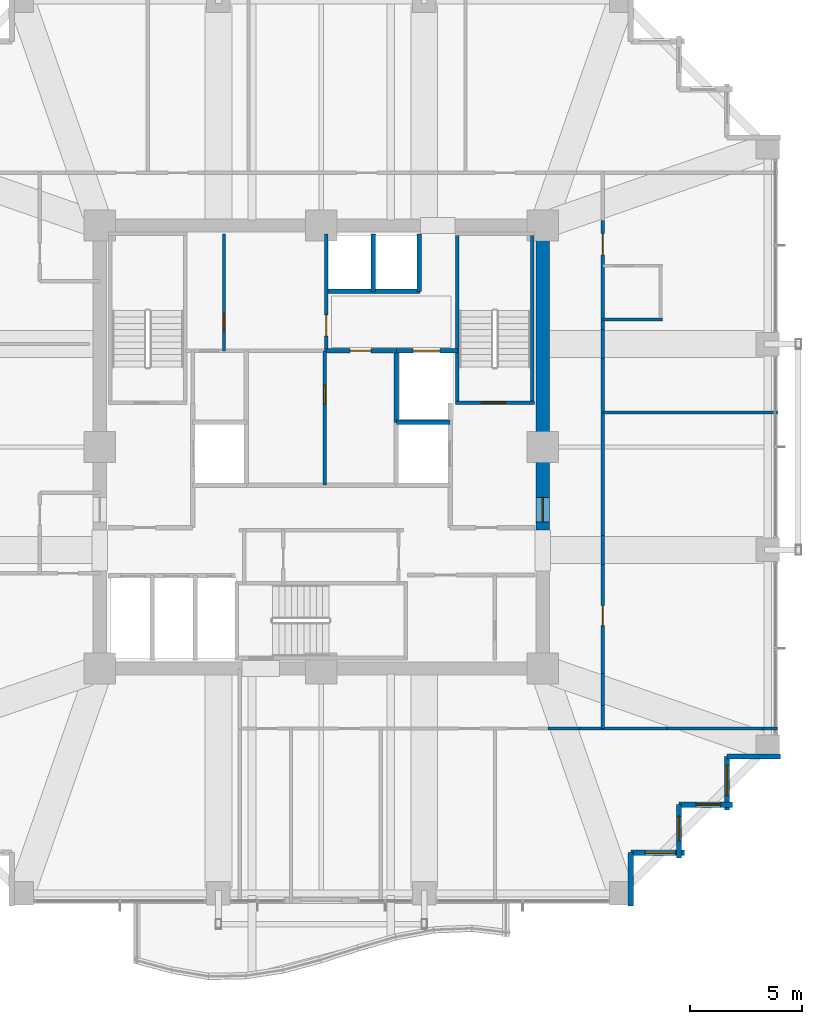
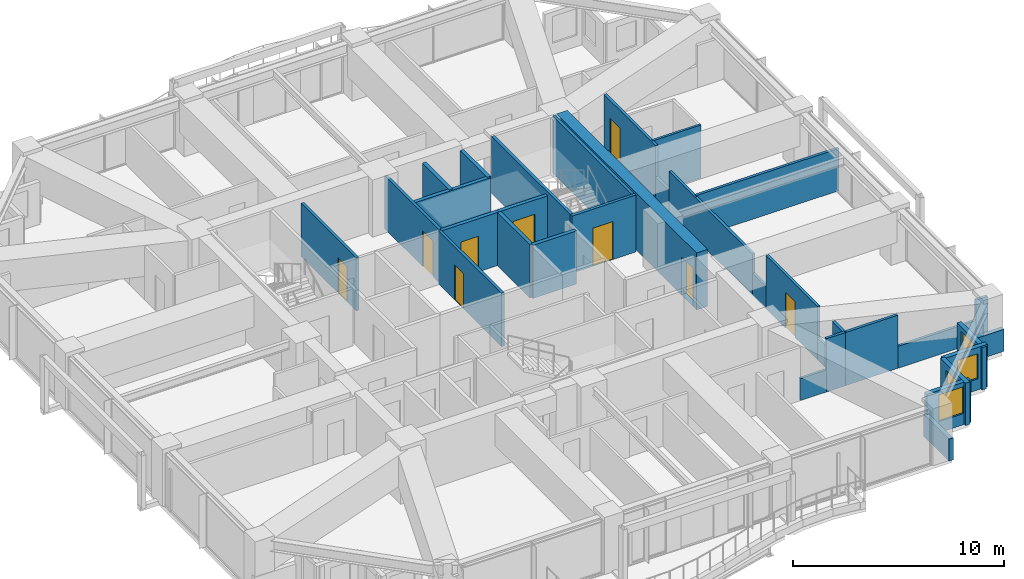
# One storey, part 35 of 39: 34 walls, 9 doors, 4 windows, 13 openings.
"""IFC4 building model written with IfcOpenShell, lengths in metres."""

from ifc_helpers import new_model, si_unit, direction, frame, frame_2d, origin, place, context, subcontext, project, spatial, rectangle, extrude, material, layer, layer_set, type_object, element, fill, save


model = new_model("IFC4")

# Units and contexts
model_context = context("Model", 3, precision=1e-05, world=origin(), true_north=direction((0.0, 1.0)))
body_context = subcontext(model_context, "Body", "Model", "MODEL_VIEW")
ifc_project = project(units=[si_unit("LENGTHUNIT", "METRE"), si_unit("AREAUNIT", "SQUARE_METRE"), si_unit("VOLUMEUNIT", "CUBIC_METRE"), si_unit("PLANEANGLEUNIT", "RADIAN"), si_unit("MASSUNIT", "GRAM", prefix="KILO")], contexts=[model_context])

# Site, building, storey
site_placement = place(None, origin())
site = spatial("IfcSite", under=ifc_project, at=site_placement, CompositionType="ELEMENT")
building_placement = place(site_placement, origin())
building = spatial("IfcBuilding", under=site, at=building_placement, Name="Kolvaren Belvedere", CompositionType="ELEMENT")
storey_placement = place(building_placement, frame((0.0, 0.0, 85.39990234375)))
storey = spatial("IfcBuildingStorey", under=building, at=storey_placement, Name="L24", CompositionType="ELEMENT", Elevation=85.39990234375)

# Wall, opening, door
ifc_material_1 = material(Name="Concrete C60/75", Category="concrete")
ifc_layer_1 = layer(ifc_material_1, 0.60009765625)
ifc_layer_set_1 = layer_set([ifc_layer_1], Name="Concrete C60/75")
wall_type_1 = type_object("IfcWallType", Name="CW-CORE-600", PredefinedType="SHEAR", material=ifc_layer_set_1)
wall_1_placement = place(storey_placement, frame((9.89990234375, -3.699951171875, 0.0), z_axis=(0.0, 0.0, 1.0), x_axis=(0.0, 1.0, 0.0)))
wall_1 = element("IfcWall", 1, at=wall_1_placement, inside=storey, type_object=wall_type_1, Name="L24 East Core Shear Wall 2", PredefinedType="SHEAR", context=body_context, shape_type="SweptSolid", body=[
    extrude(rectangle(XDim=13.300048828125, YDim=0.60009765625, at=frame_2d((6.64990234375, 0.0))), origin(), (0.0, 0.0, 1.0), 3.300048828125),
])
opening_1_placement = place(wall_1_placement, frame((0.35009765625, 0.0, 0.0)))
opening_1 = element("IfcOpeningElement", 2, at=opening_1_placement, cuts=wall_1, Name="Opening D-FD90", PredefinedType="OPENING", context=body_context, shape_type="SweptSolid", body=[
    extrude(rectangle(XDim=1.10009765625, YDim=2.199951171875, at=frame_2d((0.550048828125, 1.10009765625))), frame((0.0, 0.31005859375, 0.0), z_axis=(0.0, -1.0, 0.0), x_axis=(1.0, 0.0, 0.0)), (0.0, 0.0, 1.0), 0.6201171875),
])
ifc_material_2 = material(Name="Painted hollow stainless steel", Category="steel")
door_type_1 = type_object("IfcDoorType", Name="DR-FD90-1100", OperationType="NOTDEFINED", PredefinedType="DOOR", material=ifc_material_2)
door_1_placement = place(opening_1_placement, origin())
door_1 = element("IfcDoor", 3, at=door_1_placement, inside=storey, type_object=door_type_1, Name="L24 East Firefighting Lobby Fire Door", OperationType="SINGLE_SWING_RIGHT", OverallHeight=2.199951171875, OverallWidth=1.10009765625, PredefinedType="DOOR", context=body_context, shape_type="SweptSolid", body=[
    extrude(rectangle(XDim=1.10009765625, YDim=2.199951171875, at=frame_2d((0.550048828125, 1.10009765625))), frame((0.0, 0.02490234375, 0.0), z_axis=(0.0, -1.0, 0.0), x_axis=(1.0, 0.0, 0.0)), (0.0, 0.0, 1.0), 0.050048828125),
])
fill(opening_1, door_1)

ifc_material_3 = material(Name="Concrete C50/60", Category="concrete")
ifc_layer_2 = layer(ifc_material_3, 0.159912109375)
ifc_layer_set_2 = layer_set([ifc_layer_2], Name="Concrete C50/60")
wall_type_2 = type_object("IfcWallType", Name="CW-STAIR-160", PredefinedType="SHEAR", material=ifc_layer_set_2)
wall_2_placement = place(storey_placement, frame((6.0, 1.969970703125, 0.0), z_axis=(0.0, 0.0, 1.0), x_axis=(1.0, 0.0, 0.0)))
wall_2 = element("IfcWall", 4, at=wall_2_placement, inside=storey, type_object=wall_type_2, Name="L24 Stair ST-2 South Shear Wall", PredefinedType="SHEAR", context=body_context, shape_type="SweptSolid", body=[
    extrude(rectangle(XDim=3.52001953125, YDim=0.159912109375, at=frame_2d((1.760009765625, 0.0))), origin(), (0.0, 0.0, 1.0), 3.300048828125),
])
opening_2_placement = place(wall_2_placement, frame((1.14990234375, 0.0, 0.0)))
opening_2 = element("IfcOpeningElement", 5, at=opening_2_placement, cuts=wall_2, Name="Opening D-FD90", PredefinedType="OPENING", context=body_context, shape_type="SweptSolid", body=[
    extrude(rectangle(XDim=1.10009765625, YDim=2.199951171875, at=frame_2d((0.550048828125, 1.10009765625))), frame((0.0, 0.08984375, 0.0), z_axis=(0.0, -1.0, 0.0), x_axis=(1.0, 0.0, 0.0)), (0.0, 0.0, 1.0), 0.179931640625),
])
door_2_placement = place(opening_2_placement, origin())
door_2 = element("IfcDoor", 6, at=door_2_placement, inside=storey, type_object=door_type_1, Name="L24 Stair ST-2 Fire Door", OperationType="SINGLE_SWING_RIGHT", OverallHeight=2.199951171875, OverallWidth=1.10009765625, PredefinedType="DOOR", context=body_context, shape_type="SweptSolid", body=[
    extrude(rectangle(XDim=1.10009765625, YDim=2.199951171875, at=frame_2d((0.550048828125, 1.10009765625))), frame((0.0, 0.02490234375, 0.0), z_axis=(0.0, -1.0, 0.0), x_axis=(1.0, 0.0, 0.0)), (0.0, 0.0, 1.0), 0.050048828125),
])
fill(opening_2, door_2)

# Walls
for number, where, z_axis, x_axis, name in (
    (7, (6.080078125, 1.969970703125, 0.0), (0.0, 0.0, 1.0), (0.0, 1.0, 0.0), "L24 Stair ST-2 West Shear Wall"),
    (8, (9.429931640625, 1.969970703125, 0.0), (0.0, 0.0, 1.0), (0.0, 1.0, 0.0), "L24 Stair ST-2 East Shear Wall"),
):
    element("IfcWall", number, at=place(storey_placement, frame(where, z_axis=z_axis, x_axis=x_axis)), inside=storey, type_object=wall_type_2, Name=name, PredefinedType="SHEAR", context=body_context, shape_type="SweptSolid", body=[
        extrude(rectangle(XDim=7.56005859375, YDim=0.159912109375, at=frame_2d((3.780029296875, 0.0))), origin(), (0.0, 0.0, 1.0), 3.300048828125),
    ])
ifc_material_4 = material(Name="Gypsum fire-rated partition assembly", Category="gypsum")
ifc_layer_3 = layer(ifc_material_4, 0.14990234375)
ifc_layer_set_3 = layer_set([ifc_layer_3], Name="Gypsum fire-rated partition assembly")
wall_type_3 = type_object("IfcWallType", Name="WL-CORR-150", PredefinedType="PARTITIONING", material=ifc_layer_set_3)
wall_3_placement = place(storey_placement, frame((12.580078125, -12.580078125, 0.0), z_axis=(0.0, 0.0, 1.0), x_axis=(0.0, 1.0, 0.0)))
element("IfcWall", 9, at=wall_3_placement, inside=storey, type_object=wall_type_3, Name="L24 East Corridor Wall", PredefinedType="PARTITIONING", context=body_context, shape_type="SweptSolid", body=[
    extrude(rectangle(XDim=1.038330078125, YDim=0.14990234375, at=frame_2d((0.51904296875, 0.0))), origin(), (0.0, 0.0, 1.0), 3.080078125),
])
wall_4_placement = place(storey_placement, frame((12.580078125, -11.541748046875, 0.0), z_axis=(0.0, 0.0, 1.0), x_axis=(0.0, 1.0, 0.0)))
element("IfcWall", 10, at=wall_4_placement, inside=storey, type_object=wall_type_3, Name="L24 East Corridor Wall", PredefinedType="PARTITIONING", context=body_context, shape_type="SweptSolid", body=[
    extrude(rectangle(XDim=1.416748046875, YDim=0.14990234375, at=frame_2d((0.70849609375, 0.0))), origin(), (0.0, 0.0, 1.0), 1.26513671875),
])

# Wall, opening, door
wall_5_placement = place(storey_placement, frame((12.580078125, -10.125, 0.0), z_axis=(0.0, 0.0, 1.0), x_axis=(0.0, 1.0, 0.0)))
wall_5 = element("IfcWall", 11, at=wall_5_placement, inside=storey, type_object=wall_type_3, Name="L24 East Corridor Wall", PredefinedType="PARTITIONING", context=body_context, shape_type="SweptSolid", body=[
    extrude(rectangle(XDim=4.883056640625, YDim=0.14990234375, at=frame_2d((2.44140625, 0.0))), origin(), (0.0, 0.0, 1.0), 3.080078125),
])
opening_3_placement = place(wall_5_placement, frame((2.139892578125, 0.0, 0.0)))
opening_3 = element("IfcOpeningElement", 12, at=opening_3_placement, cuts=wall_5, Name="Opening D-INT90", PredefinedType="OPENING", context=body_context, shape_type="SweptSolid", body=[
    extrude(rectangle(XDim=0.89990234375, YDim=2.06005859375, at=frame_2d((0.449951171875, 1.030029296875))), frame((0.0, 0.0849609375, 0.0), z_axis=(0.0, -1.0, 0.0), x_axis=(1.0, 0.0, 0.0)), (0.0, 0.0, 1.0), 0.169921875),
])
ifc_material_5 = material(Name="Stained Pacific white oak", Category="timber")
door_type_2 = type_object("IfcDoorType", Name="DR-INT-900", OperationType="NOTDEFINED", PredefinedType="DOOR", material=ifc_material_5)
door_3_placement = place(opening_3_placement, origin())
door_3 = element("IfcDoor", 13, at=door_3_placement, inside=storey, type_object=door_type_2, Name="L24 Lounge 2405 Door", OperationType="SINGLE_SWING_RIGHT", OverallHeight=2.06005859375, OverallWidth=0.89990234375, PredefinedType="DOOR", context=body_context, shape_type="SweptSolid", body=[
    extrude(rectangle(XDim=0.89990234375, YDim=2.06005859375, at=frame_2d((0.449951171875, 1.030029296875))), frame((0.0, 0.02490234375, 0.0), z_axis=(0.0, -1.0, 0.0), x_axis=(1.0, 0.0, 0.0)), (0.0, 0.0, 1.0), 0.050048828125),
])
fill(opening_3, door_3)

# Walls
wall_6_placement = place(storey_placement, frame((12.580078125, -5.241943359375, 0.0), z_axis=(0.0, 0.0, 1.0), x_axis=(0.0, 1.0, 0.0)))
element("IfcWall", 14, at=wall_6_placement, inside=storey, type_object=wall_type_3, Name="L24 East Corridor Wall", PredefinedType="PARTITIONING", context=body_context, shape_type="SweptSolid", body=[
    extrude(rectangle(XDim=1.283935546875, YDim=0.14990234375, at=frame_2d((0.64208984375, 0.0))), origin(), (0.0, 0.0, 1.0), 1.26513671875),
])
wall_7_placement = place(storey_placement, frame((12.580078125, -3.9580078125, 0.0), z_axis=(0.0, 0.0, 1.0), x_axis=(0.0, 1.0, 0.0)))
element("IfcWall", 15, at=wall_7_placement, inside=storey, type_object=wall_type_3, Name="L24 East Corridor Wall", PredefinedType="PARTITIONING", context=body_context, shape_type="SweptSolid", body=[
    extrude(rectangle(XDim=7.916015625, YDim=0.14990234375, at=frame_2d((3.9580078125, 0.0))), origin(), (0.0, 0.0, 1.0), 2.369140625),
])
wall_8_placement = place(storey_placement, frame((12.580078125, 3.9580078125, 0.0), z_axis=(0.0, 0.0, 1.0), x_axis=(0.0, 1.0, 0.0)))
element("IfcWall", 16, at=wall_8_placement, inside=storey, type_object=wall_type_3, Name="L24 East Corridor Wall", PredefinedType="PARTITIONING", context=body_context, shape_type="SweptSolid", body=[
    extrude(rectangle(XDim=1.283935546875, YDim=0.14990234375, at=frame_2d((0.64208984375, 0.0))), origin(), (0.0, 0.0, 1.0), 1.26513671875),
])

# Wall, opening, door
wall_9_placement = place(storey_placement, frame((12.580078125, 5.241943359375, 0.0), z_axis=(0.0, 0.0, 1.0), x_axis=(0.0, 1.0, 0.0)))
wall_9 = element("IfcWall", 17, at=wall_9_placement, inside=storey, type_object=wall_type_3, Name="L24 East Corridor Wall", PredefinedType="PARTITIONING", context=body_context, shape_type="SweptSolid", body=[
    extrude(rectangle(XDim=4.883056640625, YDim=0.14990234375, at=frame_2d((2.44140625, 0.0))), origin(), (0.0, 0.0, 1.0), 3.080078125),
])
opening_4_placement = place(wall_9_placement, frame((3.343017578125, 0.0, 0.0)))
opening_4 = element("IfcOpeningElement", 18, at=opening_4_placement, cuts=wall_9, Name="Opening D-FD60", PredefinedType="OPENING", context=body_context, shape_type="SweptSolid", body=[
    extrude(rectangle(XDim=0.949951171875, YDim=2.06005859375, at=frame_2d((0.47509765625, 1.030029296875))), frame((0.0, 0.0849609375, 0.0), z_axis=(0.0, -1.0, 0.0), x_axis=(1.0, 0.0, 0.0)), (0.0, 0.0, 1.0), 0.169921875),
])
ifc_material_6 = material(Name="Acoustic white-oak fire door leaf", Category="timber")
door_type_3 = type_object("IfcDoorType", Name="DR-FD60-950", OperationType="NOTDEFINED", PredefinedType="DOOR", material=ifc_material_6)
door_4_placement = place(opening_4_placement, origin())
door_4 = element("IfcDoor", 19, at=door_4_placement, inside=storey, type_object=door_type_3, Name="L24 King Guest Room 2406 Entry Door", OperationType="SINGLE_SWING_RIGHT", OverallHeight=2.06005859375, OverallWidth=0.949951171875, PredefinedType="DOOR", context=body_context, shape_type="SweptSolid", body=[
    extrude(rectangle(XDim=0.949951171875, YDim=2.06005859375, at=frame_2d((0.47509765625, 1.030029296875))), frame((0.0, 0.02490234375, 0.0), z_axis=(0.0, -1.0, 0.0), x_axis=(1.0, 0.0, 0.0)), (0.0, 0.0, 1.0), 0.050048828125),
])
fill(opening_4, door_4)

# Walls
wall_10_placement = place(storey_placement, frame((10.125, -12.580078125, 0.0), z_axis=(0.0, 0.0, 1.0), x_axis=(1.0, 0.0, 0.0)))
element("IfcWall", 20, at=wall_10_placement, inside=storey, type_object=wall_type_3, Name="L24 South-East Corridor Wall", PredefinedType="PARTITIONING", context=body_context, shape_type="SweptSolid", body=[
    extrude(rectangle(XDim=1.416748046875, YDim=0.14990234375, at=frame_2d((0.70849609375, 0.0))), origin(), (0.0, 0.0, 1.0), 1.26513671875),
])
wall_11_placement = place(storey_placement, frame((11.541748046875, -12.580078125, 0.0), z_axis=(0.0, 0.0, 1.0), x_axis=(1.0, 0.0, 0.0)))
element("IfcWall", 21, at=wall_11_placement, inside=storey, type_object=wall_type_3, Name="L24 South-East Corridor Wall", PredefinedType="PARTITIONING", context=body_context, shape_type="SweptSolid", body=[
    extrude(rectangle(XDim=1.038330078125, YDim=0.14990234375, at=frame_2d((0.51904296875, 0.0))), origin(), (0.0, 0.0, 1.0), 3.080078125),
])
ifc_material_7 = material(Name="Insulated pale-metal facade wall assembly", Category="aluminium")
ifc_layer_4 = layer(ifc_material_7, 0.239990234375)
ifc_layer_set_4 = layer_set([ifc_layer_4], Name="Insulated pale-metal facade wall assembly")
wall_type_4 = type_object("IfcWallType", Name="WL-EXT-240", PredefinedType="STANDARD", material=ifc_layer_set_4)
wall_12_placement = place(storey_placement, frame((13.830078125, -18.1298828125, 0.0), z_axis=(0.0, 0.0, 1.0), x_axis=(0.0, -1.0, 0.0)))
element("IfcWall", 22, at=wall_12_placement, inside=storey, type_object=wall_type_4, Name="L24 Serrated Corner Facade Wall 2", PredefinedType="STANDARD", context=body_context, shape_type="SweptSolid", body=[
    extrude(rectangle(XDim=2.39013671875, YDim=0.239990234375, at=frame_2d((1.195068359375, 0.0))), origin(), (0.0, 0.0, 1.0), 1.275146484375),
])

# Wall, opening, window
wall_13_placement = place(storey_placement, frame((16.219970703125, -18.1298828125, 0.0), z_axis=(0.0, 0.0, 1.0), x_axis=(-1.0, 0.0, 0.0)))
wall_13 = element("IfcWall", 23, at=wall_13_placement, inside=storey, type_object=wall_type_4, Name="L24 Serrated Corner Facade Wall 3", PredefinedType="STANDARD", context=body_context, shape_type="SweptSolid", body=[
    extrude(rectangle(XDim=2.389892578125, YDim=0.239990234375, at=frame_2d((1.19482421875, 0.0))), origin(), (0.0, 0.0, 1.0), 2.458984375),
])
opening_5_placement = place(wall_13_placement, frame((0.39990234375, 0.0, 0.64990234375)))
opening_5 = element("IfcOpeningElement", 24, at=opening_5_placement, cuts=wall_13, Name="Opening W-1350", PredefinedType="OPENING", context=body_context, shape_type="SweptSolid", body=[
    extrude(rectangle(XDim=1.35009765625, YDim=1.550048828125, at=frame_2d((0.675048828125, 0.77490234375))), frame((0.0, 0.1298828125, 0.0), z_axis=(0.0, -1.0, 0.0), x_axis=(1.0, 0.0, 0.0)), (0.0, 0.0, 1.0), 0.260009765625),
])
ifc_material_8 = material(Name="Low-iron triple insulated glass", Category="glass")
window_type_1 = type_object("IfcWindowType", Name="WN-CORN-1350", PartitioningType="SINGLE_PANEL", PredefinedType="WINDOW", material=ifc_material_8)
window_1_placement = place(opening_5_placement, origin())
window_1 = element("IfcWindow", 25, at=window_1_placement, inside=storey, type_object=window_type_1, Name="L24 Serrated Corner Vision Window 3", OverallHeight=1.550048828125, OverallWidth=1.35009765625, PartitioningType="SINGLE_PANEL", PredefinedType="WINDOW", context=body_context, shape_type="SweptSolid", body=[
    extrude(rectangle(XDim=1.35009765625, YDim=1.550048828125, at=frame_2d((0.675048828125, 0.77490234375))), frame((0.0, 0.030029296875, 0.0), z_axis=(0.0, -1.0, 0.0), x_axis=(1.0, 0.0, 0.0)), (0.0, 0.0, 1.0), 0.06005859375),
])
fill(opening_5, window_1)

wall_14_placement = place(storey_placement, frame((15.97998046875, -15.97998046875, 0.0), z_axis=(0.0, 0.0, 1.0), x_axis=(0.0, -1.0, 0.0)))
wall_14 = element("IfcWall", 26, at=wall_14_placement, inside=storey, type_object=wall_type_4, Name="L24 Serrated Corner Facade Wall 4", PredefinedType="STANDARD", context=body_context, shape_type="SweptSolid", body=[
    extrude(rectangle(XDim=2.39013671875, YDim=0.239990234375, at=frame_2d((1.195068359375, 0.0))), origin(), (0.0, 0.0, 1.0), 2.458984375),
])
opening_6_placement = place(wall_14_placement, frame((0.52490234375, 0.0, 0.64990234375)))
opening_6 = element("IfcOpeningElement", 27, at=opening_6_placement, cuts=wall_14, Name="Opening W-1100", PredefinedType="OPENING", context=body_context, shape_type="SweptSolid", body=[
    extrude(rectangle(XDim=1.10009765625, YDim=1.449951171875, at=frame_2d((0.550048828125, 0.72509765625))), frame((0.0, 0.1298828125, 0.0), z_axis=(0.0, -1.0, 0.0), x_axis=(1.0, 0.0, 0.0)), (0.0, 0.0, 1.0), 0.260009765625),
])
ifc_material_9 = material(Name="Low-iron triple insulated glass", Category="glass")
window_type_2 = type_object("IfcWindowType", Name="WN-CORN-1100", PartitioningType="SINGLE_PANEL", PredefinedType="WINDOW", material=ifc_material_9)
window_2_placement = place(opening_6_placement, origin())
window_2 = element("IfcWindow", 28, at=window_2_placement, inside=storey, type_object=window_type_2, Name="L24 Serrated Corner Vision Window 4", OverallHeight=1.449951171875, OverallWidth=1.10009765625, PartitioningType="SINGLE_PANEL", PredefinedType="WINDOW", context=body_context, shape_type="SweptSolid", body=[
    extrude(rectangle(XDim=1.10009765625, YDim=1.449951171875, at=frame_2d((0.550048828125, 0.72509765625))), frame((0.0, 0.030029296875, 0.0), z_axis=(0.0, -1.0, 0.0), x_axis=(1.0, 0.0, 0.0)), (0.0, 0.0, 1.0), 0.06005859375),
])
fill(opening_6, window_2)

wall_15_placement = place(storey_placement, frame((18.3701171875, -15.97998046875, 0.0), z_axis=(0.0, 0.0, 1.0), x_axis=(-1.0, 0.0, 0.0)))
wall_15 = element("IfcWall", 29, at=wall_15_placement, inside=storey, type_object=wall_type_4, Name="L24 Serrated Corner Facade Wall 5", PredefinedType="STANDARD", context=body_context, shape_type="SweptSolid", body=[
    extrude(rectangle(XDim=2.39013671875, YDim=0.239990234375, at=frame_2d((1.195068359375, 0.0))), origin(), (0.0, 0.0, 1.0), 2.458984375),
])
opening_7_placement = place(wall_15_placement, frame((0.52490234375, 0.0, 0.64990234375)))
opening_7 = element("IfcOpeningElement", 30, at=opening_7_placement, cuts=wall_15, Name="Opening W-1100", PredefinedType="OPENING", context=body_context, shape_type="SweptSolid", body=[
    extrude(rectangle(XDim=1.10009765625, YDim=1.449951171875, at=frame_2d((0.550048828125, 0.72509765625))), frame((0.0, 0.1298828125, 0.0), z_axis=(0.0, -1.0, 0.0), x_axis=(1.0, 0.0, 0.0)), (0.0, 0.0, 1.0), 0.260009765625),
])
window_3_placement = place(opening_7_placement, origin())
window_3 = element("IfcWindow", 31, at=window_3_placement, inside=storey, type_object=window_type_2, Name="L24 Serrated Corner Vision Window 5", OverallHeight=1.449951171875, OverallWidth=1.10009765625, PartitioningType="SINGLE_PANEL", PredefinedType="WINDOW", context=body_context, shape_type="SweptSolid", body=[
    extrude(rectangle(XDim=1.10009765625, YDim=1.449951171875, at=frame_2d((0.550048828125, 0.72509765625))), frame((0.0, 0.030029296875, 0.0), z_axis=(0.0, -1.0, 0.0), x_axis=(1.0, 0.0, 0.0)), (0.0, 0.0, 1.0), 0.06005859375),
])
fill(opening_7, window_3)

wall_16_placement = place(storey_placement, frame((18.1298828125, -13.830078125, 0.0), z_axis=(0.0, 0.0, 1.0), x_axis=(0.0, -1.0, 0.0)))
wall_16 = element("IfcWall", 32, at=wall_16_placement, inside=storey, type_object=wall_type_4, Name="L24 Serrated Corner Facade Wall 6", PredefinedType="STANDARD", context=body_context, shape_type="SweptSolid", body=[
    extrude(rectangle(XDim=2.389892578125, YDim=0.239990234375, at=frame_2d((1.19482421875, 0.0))), origin(), (0.0, 0.0, 1.0), 2.458984375),
])
opening_8_placement = place(wall_16_placement, frame((0.39990234375, 0.0, 0.64990234375)))
opening_8 = element("IfcOpeningElement", 33, at=opening_8_placement, cuts=wall_16, Name="Opening W-1350", PredefinedType="OPENING", context=body_context, shape_type="SweptSolid", body=[
    extrude(rectangle(XDim=1.35009765625, YDim=1.550048828125, at=frame_2d((0.675048828125, 0.77490234375))), frame((0.0, 0.1298828125, 0.0), z_axis=(0.0, -1.0, 0.0), x_axis=(1.0, 0.0, 0.0)), (0.0, 0.0, 1.0), 0.260009765625),
])
window_4_placement = place(opening_8_placement, origin())
window_4 = element("IfcWindow", 34, at=window_4_placement, inside=storey, type_object=window_type_1, Name="L24 Serrated Corner Vision Window 6", OverallHeight=1.550048828125, OverallWidth=1.35009765625, PartitioningType="SINGLE_PANEL", PredefinedType="WINDOW", context=body_context, shape_type="SweptSolid", body=[
    extrude(rectangle(XDim=1.35009765625, YDim=1.550048828125, at=frame_2d((0.675048828125, 0.77490234375))), frame((0.0, 0.030029296875, 0.0), z_axis=(0.0, -1.0, 0.0), x_axis=(1.0, 0.0, 0.0)), (0.0, 0.0, 1.0), 0.06005859375),
])
fill(opening_8, window_4)

# Wall
wall_17_placement = place(storey_placement, frame((20.52001953125, -13.830078125, 0.0), z_axis=(0.0, 0.0, 1.0), x_axis=(-1.0, 0.0, 0.0)))
element("IfcWall", 35, at=wall_17_placement, inside=storey, type_object=wall_type_4, Name="L24 Serrated Corner Facade Wall 7", PredefinedType="STANDARD", context=body_context, shape_type="SweptSolid", body=[
    extrude(rectangle(XDim=2.39013671875, YDim=0.239990234375, at=frame_2d((1.195068359375, 0.0))), origin(), (0.0, 0.0, 1.0), 1.275146484375),
])

# Wall, opening, door
ifc_material_10 = material(Name="Gypsum acoustic partition assembly", Category="gypsum")
ifc_layer_5 = layer(ifc_material_10, 0.14990234375)
ifc_layer_set_5 = layer_set([ifc_layer_5], Name="Gypsum acoustic partition assembly")
wall_type_5 = type_object("IfcWallType", Name="WL-PART-150", PredefinedType="PARTITIONING", material=ifc_layer_set_5)
wall_18_placement = place(storey_placement, frame((0.219970703125, 4.300048828125, 0.0), z_axis=(0.0, 0.0, 1.0), x_axis=(0.0, 1.0, 0.0)))
wall_18 = element("IfcWall", 36, at=wall_18_placement, inside=storey, type_object=wall_type_5, Name="L24 Reclaimed Salon East Wall", PredefinedType="PARTITIONING", context=body_context, shape_type="SweptSolid", body=[
    extrude(rectangle(XDim=5.219970703125, YDim=0.14990234375, at=frame_2d((2.60986328125, 0.0))), origin(), (0.0, 0.0, 1.0), 3.080078125),
])
opening_9_placement = place(wall_18_placement, frame((0.64990234375, 0.0, 0.0)))
opening_9 = element("IfcOpeningElement", 37, at=opening_9_placement, cuts=wall_18, Name="Opening D-INT95", PredefinedType="OPENING", context=body_context, shape_type="SweptSolid", body=[
    extrude(rectangle(XDim=0.949951171875, YDim=2.06005859375, at=frame_2d((0.47509765625, 1.030029296875))), frame((0.0, 0.0849609375, 0.0), z_axis=(0.0, -1.0, 0.0), x_axis=(1.0, 0.0, 0.0)), (0.0, 0.0, 1.0), 0.169921875),
])
ifc_material_11 = material(Name="Stained Pacific white oak", Category="timber")
door_type_4 = type_object("IfcDoorType", Name="DR-INT-950", OperationType="NOTDEFINED", PredefinedType="DOOR", material=ifc_material_11)
door_5_placement = place(opening_9_placement, origin())
door_5 = element("IfcDoor", 38, at=door_5_placement, inside=storey, type_object=door_type_4, Name="L24 Art Salon Door", OperationType="SINGLE_SWING_LEFT", OverallHeight=2.06005859375, OverallWidth=0.949951171875, PredefinedType="DOOR", context=body_context, shape_type="SweptSolid", body=[
    extrude(rectangle(XDim=0.949951171875, YDim=2.06005859375, at=frame_2d((0.47509765625, 1.030029296875))), frame((0.0, 0.02490234375, 0.0), z_axis=(0.0, -1.0, 0.0), x_axis=(1.0, 0.0, 0.0)), (0.0, 0.0, 1.0), 0.050048828125),
])
fill(opening_9, door_5)

wall_19_placement = place(storey_placement, frame((-4.35009765625, 4.300048828125, 0.0), z_axis=(0.0, 0.0, 1.0), x_axis=(0.0, 1.0, 0.0)))
wall_19 = element("IfcWall", 39, at=wall_19_placement, inside=storey, type_object=wall_type_5, Name="L24 Reclaimed Archive Divider", PredefinedType="PARTITIONING", context=body_context, shape_type="SweptSolid", body=[
    extrude(rectangle(XDim=5.219970703125, YDim=0.14990234375, at=frame_2d((2.60986328125, 0.0))), origin(), (0.0, 0.0, 1.0), 3.080078125),
])
opening_10_placement = place(wall_19_placement, frame((0.85009765625, 0.0, 0.0)))
opening_10 = element("IfcOpeningElement", 40, at=opening_10_placement, cuts=wall_19, Name="Opening D-INT85", PredefinedType="OPENING", context=body_context, shape_type="SweptSolid", body=[
    extrude(rectangle(XDim=0.85009765625, YDim=2.030029296875, at=frame_2d((0.425048828125, 1.01513671875))), frame((0.0, 0.0849609375, 0.0), z_axis=(0.0, -1.0, 0.0), x_axis=(1.0, 0.0, 0.0)), (0.0, 0.0, 1.0), 0.169921875),
])
ifc_material_12 = material(Name="Stained Pacific white oak", Category="timber")
door_type_5 = type_object("IfcDoorType", Name="DR-INT-850", OperationType="NOTDEFINED", PredefinedType="DOOR", material=ifc_material_12)
door_6_placement = place(opening_10_placement, origin())
door_6 = element("IfcDoor", 41, at=door_6_placement, inside=storey, type_object=door_type_5, Name="L24 Archive Store Door", OperationType="SINGLE_SWING_RIGHT", OverallHeight=2.030029296875, OverallWidth=0.85009765625, PredefinedType="DOOR", context=body_context, shape_type="SweptSolid", body=[
    extrude(rectangle(XDim=0.85009765625, YDim=2.030029296875, at=frame_2d((0.425048828125, 1.01513671875))), frame((0.0, 0.02490234375, 0.0), z_axis=(0.0, -1.0, 0.0), x_axis=(1.0, 0.0, 0.0)), (0.0, 0.0, 1.0), 0.050048828125),
])
fill(opening_10, door_6)

wall_20_placement = place(storey_placement, frame((0.14990234375, -1.699951171875, 0.0), z_axis=(0.0, 0.0, 1.0), x_axis=(0.0, 1.0, 0.0)))
wall_20 = element("IfcWall", 42, at=wall_20_placement, inside=storey, type_object=wall_type_5, Name="L24 Central Core V-Divider", PredefinedType="PARTITIONING", context=body_context, shape_type="SweptSolid", body=[
    extrude(rectangle(XDim=6.0, YDim=0.14990234375, at=frame_2d((3.0, 0.0))), origin(), (0.0, 0.0, 1.0), 3.080078125),
])
opening_11_placement = place(wall_20_placement, frame((3.60009765625, 0.0, 0.0)))
opening_11 = element("IfcOpeningElement", 43, at=opening_11_placement, cuts=wall_20, Name="Opening D-INT85", PredefinedType="OPENING", context=body_context, shape_type="SweptSolid", body=[
    extrude(rectangle(XDim=0.85009765625, YDim=2.030029296875, at=frame_2d((0.425048828125, 1.01513671875))), frame((0.0, 0.0849609375, 0.0), z_axis=(0.0, -1.0, 0.0), x_axis=(1.0, 0.0, 0.0)), (0.0, 0.0, 1.0), 0.169921875),
])
door_7_placement = place(opening_11_placement, origin())
door_7 = element("IfcDoor", 44, at=door_7_placement, inside=storey, type_object=door_type_5, Name="L24 Central Linen Door", OperationType="SINGLE_SWING_RIGHT", OverallHeight=2.030029296875, OverallWidth=0.85009765625, PredefinedType="DOOR", context=body_context, shape_type="SweptSolid", body=[
    extrude(rectangle(XDim=0.85009765625, YDim=2.030029296875, at=frame_2d((0.425048828125, 1.01513671875))), frame((0.0, 0.02490234375, 0.0), z_axis=(0.0, -1.0, 0.0), x_axis=(1.0, 0.0, 0.0)), (0.0, 0.0, 1.0), 0.050048828125),
])
fill(opening_11, door_7)

# Walls
wall_21_placement = place(storey_placement, frame((12.580078125, -12.580078125, 0.0), z_axis=(0.0, 0.0, 1.0), x_axis=(1.0, 0.0, 0.0)))
element("IfcWall", 45, at=wall_21_placement, inside=storey, type_object=wall_type_5, Name="L24 Wing Divider PW-L24-QSE", PredefinedType="PARTITIONING", context=body_context, shape_type="SweptSolid", body=[
    extrude(rectangle(XDim=2.874755859375, YDim=0.14990234375, at=frame_2d((1.4375, 0.0))), origin(), (0.0, 0.0, 1.0), 3.080078125),
])
wall_22_placement = place(storey_placement, frame((15.454833984375, -12.580078125, 0.0), z_axis=(0.0, 0.0, 1.0), x_axis=(1.0, 0.0, 0.0)))
element("IfcWall", 46, at=wall_22_placement, inside=storey, type_object=wall_type_5, Name="L24 Wing Divider PW-L24-QSE", PredefinedType="PARTITIONING", context=body_context, shape_type="SweptSolid", body=[
    extrude(rectangle(XDim=4.28125, YDim=0.14990234375, at=frame_2d((2.140625, 0.0))), origin(), (0.0, 0.0, 1.0), 1.26513671875),
])
wall_23_placement = place(storey_placement, frame((19.736083984375, -12.580078125, 0.0), z_axis=(0.0, 0.0, 1.0), x_axis=(1.0, 0.0, 0.0)))
element("IfcWall", 47, at=wall_23_placement, inside=storey, type_object=wall_type_5, Name="L24 Wing Divider PW-L24-QSE", PredefinedType="PARTITIONING", context=body_context, shape_type="SweptSolid", body=[
    extrude(rectangle(XDim=0.643798828125, YDim=0.14990234375, at=frame_2d((0.32177734375, 0.0))), origin(), (0.0, 0.0, 1.0), 2.44921875),
])
wall_24_placement = place(storey_placement, frame((12.580078125, 1.5400390625, 0.0), z_axis=(0.0, 0.0, 1.0), x_axis=(1.0, 0.0, 0.0)))
element("IfcWall", 48, at=wall_24_placement, inside=storey, type_object=wall_type_5, Name="L24 East Suite Demising Wall 1", PredefinedType="PARTITIONING", context=body_context, shape_type="SweptSolid", body=[
    extrude(rectangle(XDim=7.7998046875, YDim=0.14990234375, at=frame_2d((3.89990234375, 0.0))), origin(), (0.0, 0.0, 1.0), 2.44921875),
])
ifc_material_13 = material(Name="Concrete C50/60", Category="concrete")
ifc_layer_6 = layer(ifc_material_13, 0.199951171875)
ifc_layer_set_6 = layer_set([ifc_layer_6], Name="Concrete C50/60")
wall_type_6 = type_object("IfcWallType", Name="WL-SHAFT-200", PredefinedType="SOLIDWALL", material=ifc_layer_set_6)
wall_25_placement = place(storey_placement, frame((3.35009765625, 1.10009765625, 0.0), z_axis=(0.0, 0.0, 1.0), x_axis=(1.0, 0.0, 0.0)))
element("IfcWall", 49, at=wall_25_placement, inside=storey, type_object=wall_type_6, Name="L24 FSAE FS2 North Wall", PredefinedType="SOLIDWALL", context=body_context, shape_type="SweptSolid", body=[
    extrude(rectangle(XDim=2.39990234375, YDim=0.199951171875, at=frame_2d((1.199951171875, 0.0))), origin(), (0.0, 0.0, 1.0), 3.080078125),
])

# Wall, opening, door
wall_26_placement = place(storey_placement, frame((3.35009765625, 4.300048828125, 0.0), z_axis=(0.0, 0.0, 1.0), x_axis=(1.0, 0.0, 0.0)))
wall_26 = element("IfcWall", 50, at=wall_26_placement, inside=storey, type_object=wall_type_6, Name="L24 Service Lift SV1 Front Wall", PredefinedType="SOLIDWALL", context=body_context, shape_type="SweptSolid", body=[
    extrude(rectangle(XDim=2.72998046875, YDim=0.199951171875, at=frame_2d((1.364990234375, 0.0))), origin(), (0.0, 0.0, 1.0), 3.080078125),
])
opening_12_placement = place(wall_26_placement, frame((0.75, 0.0, 0.0)))
opening_12 = element("IfcOpeningElement", 51, at=opening_12_placement, cuts=wall_26, Name="Opening LD-12", PredefinedType="OPENING", context=body_context, shape_type="SweptSolid", body=[
    extrude(rectangle(XDim=1.199951171875, YDim=2.25, at=frame_2d((0.60009765625, 1.125))), frame((0.0, 0.10986328125, 0.0), z_axis=(0.0, -1.0, 0.0), x_axis=(1.0, 0.0, 0.0)), (0.0, 0.0, 1.0), 0.219970703125),
])
ifc_material_14 = material(Name="Brushed stainless steel", Category="steel")
door_type_6 = type_object("IfcDoorType", Name="DR-LIFT-1200", OperationType="DOUBLE_DOOR_SLIDING", PredefinedType="DOOR", material=ifc_material_14)
door_8_placement = place(opening_12_placement, origin())
door_8 = element("IfcDoor", 52, at=door_8_placement, inside=storey, type_object=door_type_6, Name="L24 Service Lift SV1 Landing Door", OperationType="DOUBLE_DOOR_SLIDING", OverallHeight=2.25, OverallWidth=1.199951171875, PredefinedType="DOOR", context=body_context, shape_type="SweptSolid", body=[
    extrude(rectangle(XDim=1.199951171875, YDim=2.25, at=frame_2d((0.60009765625, 1.125))), frame((0.0, 0.02490234375, 0.0), z_axis=(0.0, -1.0, 0.0), x_axis=(1.0, 0.0, 0.0)), (0.0, 0.0, 1.0), 0.050048828125),
])
fill(opening_12, door_8)

# Walls
wall_27_placement = place(storey_placement, frame((0.219970703125, 6.949951171875, 0.0), z_axis=(0.0, 0.0, 1.0), x_axis=(1.0, 0.0, 0.0)))
element("IfcWall", 53, at=wall_27_placement, inside=storey, type_object=wall_type_6, Name="L24 Express Shuttle Hoistway Wall", PredefinedType="SOLIDWALL", context=body_context, shape_type="SweptSolid", body=[
    extrude(rectangle(XDim=4.179931640625, YDim=0.199951171875, at=frame_2d((2.08984375, 0.0))), origin(), (0.0, 0.0, 1.0), 3.080078125),
])
for number, where, z_axis, x_axis, name in (
    (54, (4.3798828125, 6.949951171875, 0.0), (0.0, 0.0, 1.0), (0.0, 1.0, 0.0), "L24 Express Shuttle East Wall"),
    (55, (2.31005859375, 6.949951171875, 0.0), (0.0, 0.0, 1.0), (0.0, 1.0, 0.0), "L24 Express Shuttle Divider"),
):
    element("IfcWall", number, at=place(storey_placement, frame(where, z_axis=z_axis, x_axis=x_axis)), inside=storey, type_object=wall_type_6, Name=name, PredefinedType="SOLIDWALL", context=body_context, shape_type="SweptSolid", body=[
        extrude(rectangle(XDim=2.570068359375, YDim=0.199951171875, at=frame_2d((1.28515625, 0.0))), origin(), (0.0, 0.0, 1.0), 3.080078125),
    ])

# Wall, opening, door
wall_28_placement = place(storey_placement, frame((0.219970703125, 4.300048828125, 0.0), z_axis=(0.0, 0.0, 1.0), x_axis=(1.0, 0.0, 0.0)))
wall_28 = element("IfcWall", 56, at=wall_28_placement, inside=storey, type_object=wall_type_6, Name="L24 Central Core Room North Wall", PredefinedType="SOLIDWALL", context=body_context, shape_type="SweptSolid", body=[
    extrude(rectangle(XDim=3.130126953125, YDim=0.199951171875, at=frame_2d((1.56494140625, 0.0))), origin(), (0.0, 0.0, 1.0), 3.080078125),
])
opening_13_placement = place(wall_28_placement, frame((1.050048828125, 0.0, 0.0)))
opening_13 = element("IfcOpeningElement", 57, at=opening_13_placement, cuts=wall_28, Name="Opening D-FD60", PredefinedType="OPENING", context=body_context, shape_type="SweptSolid", body=[
    extrude(rectangle(XDim=0.949951171875, YDim=2.06005859375, at=frame_2d((0.47509765625, 1.030029296875))), frame((0.0, 0.10986328125, 0.0), z_axis=(0.0, -1.0, 0.0), x_axis=(1.0, 0.0, 0.0)), (0.0, 0.0, 1.0), 0.219970703125),
])
door_9_placement = place(opening_13_placement, origin())
door_9 = element("IfcDoor", 58, at=door_9_placement, inside=storey, type_object=door_type_3, Name="L24 Central Core Controls Door", OperationType="SINGLE_SWING_LEFT", OverallHeight=2.06005859375, OverallWidth=0.949951171875, PredefinedType="DOOR", context=body_context, shape_type="SweptSolid", body=[
    extrude(rectangle(XDim=0.949951171875, YDim=2.06005859375, at=frame_2d((0.47509765625, 1.030029296875))), frame((0.0, 0.02490234375, 0.0), z_axis=(0.0, -1.0, 0.0), x_axis=(1.0, 0.0, 0.0)), (0.0, 0.0, 1.0), 0.050048828125),
])
fill(opening_13, door_9)

# Walls
wall_29_placement = place(storey_placement, frame((3.35009765625, 1.10009765625, 0.0), z_axis=(0.0, 0.0, 1.0), x_axis=(0.0, 1.0, 0.0)))
element("IfcWall", 59, at=wall_29_placement, inside=storey, type_object=wall_type_6, Name="L24 Central Core Room East Wall", PredefinedType="SOLIDWALL", context=body_context, shape_type="SweptSolid", body=[
    extrude(rectangle(XDim=3.199951171875, YDim=0.199951171875, at=frame_2d((1.60009765625, 0.0))), origin(), (0.0, 0.0, 1.0), 3.080078125),
])
ifc_material_15 = material(Name="Moisture-resistant gypsum partition", Category="gypsum")
ifc_layer_7 = layer(ifc_material_15, 0.125)
ifc_layer_set_7 = layer_set([ifc_layer_7], Name="Moisture-resistant gypsum partition")
wall_type_7 = type_object("IfcWallType", Name="WL-WET-125", PredefinedType="PARTITIONING", material=ifc_layer_set_7)
wall_30_placement = place(storey_placement, frame((12.594970703125, 5.699951171875, 0.0), z_axis=(0.0, 0.0, 1.0), x_axis=(1.0, 0.0, 0.0)))
element("IfcWall", 60, at=wall_30_placement, inside=storey, type_object=wall_type_7, Name="L24 Bathroom Partition PW-L24-BTH-6-S", PredefinedType="PARTITIONING", context=body_context, shape_type="SweptSolid", body=[
    extrude(rectangle(XDim=2.64013671875, YDim=0.125, at=frame_2d((1.320068359375, 0.0))), origin(), (0.0, 0.0, 1.0), 3.080078125),
])

save(model, "model.ifc")
